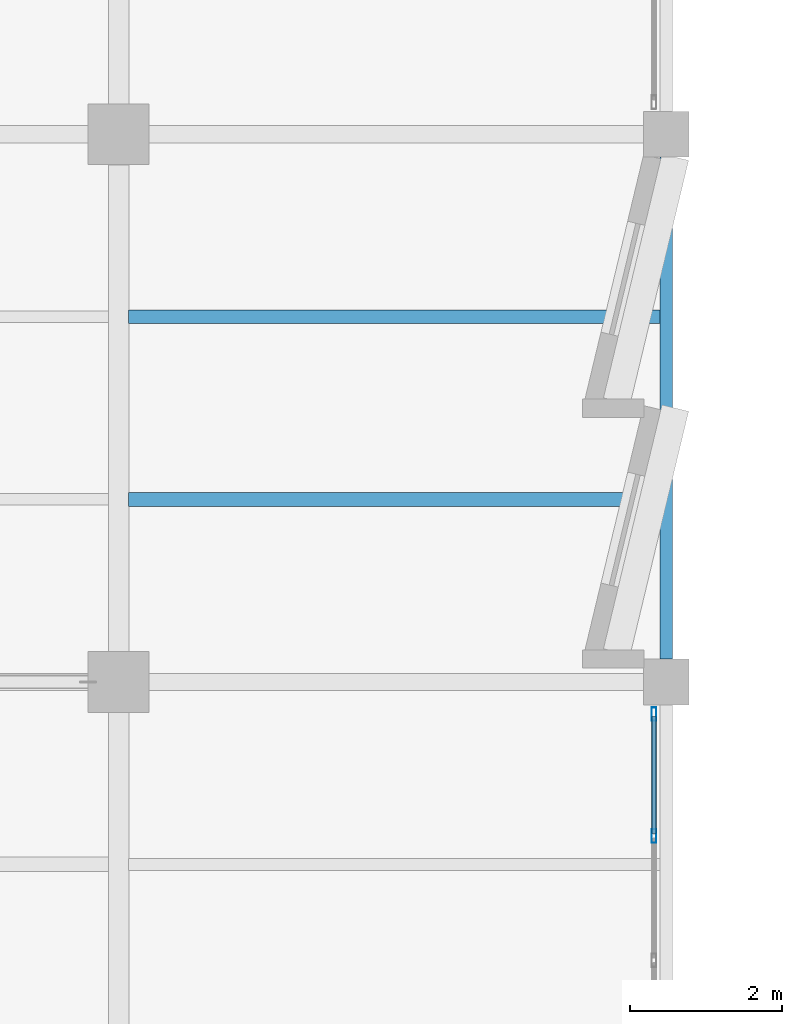
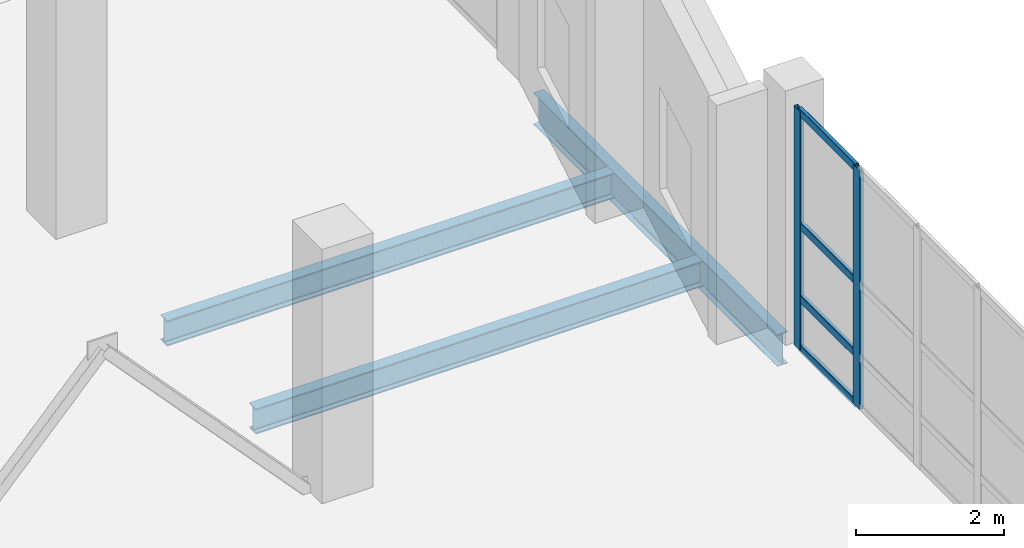
# One storey, part 28 of 94: 6 members, 3 beams, 1 element without a shape of its own.
"""IFC4 building model written with IfcOpenShell, lengths in metres."""

from ifc_helpers import new_model, si_unit, direction, frame, origin, origin_2d, place, context, subcontext, project, spatial, hollow_rectangle, i_section, extrude, material, material_profile, profile_set, type_object, element, aggregate, save


model = new_model("IFC4")

# Units and contexts
model_context = context("Model", 3, precision=1e-05, world=origin(), true_north=direction((0.0, 1.0)))
body_context = subcontext(model_context, "Body", "Model", "MODEL_VIEW")
ifc_project = project(units=[si_unit("LENGTHUNIT", "METRE"), si_unit("AREAUNIT", "SQUARE_METRE"), si_unit("VOLUMEUNIT", "CUBIC_METRE"), si_unit("PLANEANGLEUNIT", "RADIAN"), si_unit("MASSUNIT", "GRAM", prefix="KILO")], contexts=[model_context])

# Site, building, storey
site_placement = place(None, origin())
site = spatial("IfcSite", under=ifc_project, at=site_placement, CompositionType="ELEMENT")
building_placement = place(site_placement, origin())
building = spatial("IfcBuilding", under=site, at=building_placement, Name="Kalmorath City Hall", CompositionType="ELEMENT")
storey_placement = place(building_placement, frame((0.0, 0.0, 14.699951171875)))
storey = spatial("IfcBuildingStorey", under=building, at=storey_placement, Name="L03", CompositionType="ELEMENT", Elevation=14.699951171875)

# Curtain wall, members
ifc_material_1 = material(Name="Anodised aluminium and laminated glass", Category="aluminium")
curtain_wall_type = type_object("IfcCurtainWallType", Name="Unitised hurricane curtain wall 6543x3950 M1600", PredefinedType="NOTDEFINED", material=ifc_material_1)
curtain_wall_placement = place(storey_placement, origin())
curtain_wall = element("IfcCurtainWall", 1, at=curtain_wall_placement, inside=storey, type_object=curtain_wall_type, Name="L03 curtain wall CW-65X40M16 #154", PredefinedType="NOTDEFINED")
ifc_material_2 = material(Name="Anodised aluminium framing", Category="aluminium")
ifc_material_profile_1 = material_profile(ifc_material_2, hollow_rectangle(XDim=0.06494140625, YDim=0.179931640625, WallThickness=0.00390625, InnerFilletRadius=0.00390625, OuterFilletRadius=0.008056640625, at=origin_2d()), Name="ALU-MUL-180X65X4")
ifc_profile_set_1 = profile_set([ifc_material_profile_1], Name="Anodised aluminium framing")
member_type_1 = type_object("IfcMemberType", Name="Curtain-wall courtyard mullion 180x65", PredefinedType="MULLION", material=ifc_profile_set_1)
member_1_placement = place(storey_placement, frame((28.639892578125, 49.9775390625, 0.0), z_axis=(0.0, 0.0, 1.0), x_axis=(1.0, 0.0, 0.0)))
member_1 = element("IfcMember", 2, at=member_1_placement, type_object=member_type_1, Name="CW-65X40M16 mullion 1", PredefinedType="MULLION", context=body_context, shape_type="SweptSolid", body=[
    extrude(hollow_rectangle(XDim=0.06494140625, YDim=0.179931640625, WallThickness=0.00390625, InnerFilletRadius=0.00390625, OuterFilletRadius=0.008056640625, at=origin_2d()), origin(), (0.0, 0.0, 1.0), 3.949951171875),
])
member_2_placement = place(storey_placement, frame((28.639892578125, 48.3740234375, 0.0), z_axis=(0.0, 0.0, 1.0), x_axis=(1.0, 0.0, 0.0)))
member_2 = element("IfcMember", 3, at=member_2_placement, type_object=member_type_1, Name="CW-65X40M16 mullion 2", PredefinedType="MULLION", context=body_context, shape_type="SweptSolid", body=[
    extrude(hollow_rectangle(XDim=0.06494140625, YDim=0.179931640625, WallThickness=0.00390625, InnerFilletRadius=0.00390625, OuterFilletRadius=0.008056640625, at=origin_2d()), origin(), (0.0, 0.0, 1.0), 3.949951171875),
])
ifc_material_3 = material(Name="Anodised aluminium framing", Category="aluminium")
ifc_material_profile_2 = material_profile(ifc_material_3, hollow_rectangle(XDim=0.06005859375, YDim=0.1298828125, WallThickness=0.00341796875, InnerFilletRadius=0.00341796875, OuterFilletRadius=0.007080078125, at=origin_2d()), Name="ALU-TRN-130X60X3.5")
ifc_profile_set_2 = profile_set([ifc_material_profile_2], Name="Anodised aluminium framing")
member_type_2 = type_object("IfcMemberType", Name="Curtain-wall courtyard transom 130x60", PredefinedType="USERDEFINED", material=ifc_profile_set_2)
member_3_placement = place(storey_placement, frame((28.639892578125, 49.945068359375, 0.030029296875), z_axis=(0.0, -1.0, 0.0), x_axis=(1.0, 0.0, 0.0)))
member_3 = element("IfcMember", 4, at=member_3_placement, type_object=member_type_2, Name="CW-65X40M16 transom 1.1", ObjectType="TRANSOM", PredefinedType="USERDEFINED", context=body_context, shape_type="SweptSolid", body=[
    extrude(hollow_rectangle(XDim=0.06005859375, YDim=0.1298828125, WallThickness=0.00341796875, InnerFilletRadius=0.00341796875, OuterFilletRadius=0.007080078125, at=origin_2d()), origin(), (0.0, 0.0, 1.0), 1.538330078125),
])
member_4_placement = place(storey_placement, frame((28.639892578125, 49.945068359375, 0.85009765625), z_axis=(0.0, -1.0, 0.0), x_axis=(1.0, 0.0, 0.0)))
member_4 = element("IfcMember", 5, at=member_4_placement, type_object=member_type_2, Name="CW-65X40M16 transom 1.2", ObjectType="TRANSOM", PredefinedType="USERDEFINED", context=body_context, shape_type="SweptSolid", body=[
    extrude(hollow_rectangle(XDim=0.06005859375, YDim=0.1298828125, WallThickness=0.00341796875, InnerFilletRadius=0.00341796875, OuterFilletRadius=0.007080078125, at=origin_2d()), origin(), (0.0, 0.0, 1.0), 1.538330078125),
])
member_5_placement = place(storey_placement, frame((28.639892578125, 49.945068359375, 2.053955078125), z_axis=(0.0, -1.0, 0.0), x_axis=(1.0, 0.0, 0.0)))
member_5 = element("IfcMember", 6, at=member_5_placement, type_object=member_type_2, Name="CW-65X40M16 transom 1.3", ObjectType="TRANSOM", PredefinedType="USERDEFINED", context=body_context, shape_type="SweptSolid", body=[
    extrude(hollow_rectangle(XDim=0.06005859375, YDim=0.1298828125, WallThickness=0.00341796875, InnerFilletRadius=0.00341796875, OuterFilletRadius=0.007080078125, at=origin_2d()), origin(), (0.0, 0.0, 1.0), 1.538330078125),
])
member_6_placement = place(storey_placement, frame((28.639892578125, 49.945068359375, 3.920166015625), z_axis=(0.0, -1.0, 0.0), x_axis=(1.0, 0.0, 0.0)))
member_6 = element("IfcMember", 7, at=member_6_placement, type_object=member_type_2, Name="CW-65X40M16 transom 1.4", ObjectType="TRANSOM", PredefinedType="USERDEFINED", context=body_context, shape_type="SweptSolid", body=[
    extrude(hollow_rectangle(XDim=0.06005859375, YDim=0.1298828125, WallThickness=0.00341796875, InnerFilletRadius=0.00341796875, OuterFilletRadius=0.007080078125, at=origin_2d()), origin(), (0.0, 0.0, 1.0), 1.538330078125),
])
aggregate(curtain_wall, [member_1, member_2, member_3, member_4, member_5, member_6])

# Beams
ifc_material_4 = material(Name="Steel ASTM A992 Grade 50", Category="steel")
ifc_material_profile_3 = material_profile(ifc_material_4, i_section(OverallWidth=0.180908203125, OverallDepth=0.4169921875, WebThickness=0.010986328125, FlangeThickness=0.018310546875, FilletRadius=0.012939453125, at=origin_2d()), Name="W16X57")
ifc_profile_set_3 = profile_set([ifc_material_profile_3], Name="Steel ASTM A992 Grade 50")
beam_type_1 = type_object("IfcBeamType", Name="Steel composite joist W16X57", PredefinedType="JOIST", material=ifc_profile_set_3)
for number, where, z_axis, x_axis, name in (
    (8, (21.73388671875, 52.800048828125, -0.472412109375), (1.0, 0.0, 0.0), (0.0, 1.0, 0.0), "L03 joist SJ5 4.8.1"),
    (9, (21.73388671875, 55.199951171875, -0.472412109375), (1.0, 0.0, 0.0), (0.0, 1.0, 0.0), "L03 joist SJ5 4.8.2"),
):
    element("IfcBeam", number, at=place(storey_placement, frame(where, z_axis=z_axis, x_axis=x_axis)), inside=storey, type_object=beam_type_1, Name=name, PredefinedType="JOIST", context=body_context, shape_type="SweptSolid", body=[
        extrude(i_section(OverallWidth=0.180908203125, OverallDepth=0.4169921875, WebThickness=0.010986328125, FlangeThickness=0.018310546875, FilletRadius=0.012939453125, at=origin_2d()), origin(), (0.0, 0.0, 1.0), 6.983642578125),
    ])
ifc_material_5 = material(Name="Steel ASTM A992 Grade 50", Category="steel")
ifc_material_profile_4 = material_profile(ifc_material_5, i_section(OverallWidth=0.1650390625, OverallDepth=0.52490234375, WebThickness=0.0087890625, FlangeThickness=0.011474609375, FilletRadius=0.014892578125, at=origin_2d()), Name="W21X44")
ifc_profile_set_4 = profile_set([ifc_material_profile_4], Name="Steel ASTM A992 Grade 50")
beam_type_2 = type_object("IfcBeamType", Name="Steel spandrel beam W21X44", PredefinedType="SPANDREL", material=ifc_profile_set_4)
beam_placement = place(storey_placement, frame((28.800048828125, 50.699951171875, -0.5263671875), z_axis=(0.0, 1.0, 0.0), x_axis=(-1.0, 0.0, 0.0)))
element("IfcBeam", 10, at=beam_placement, inside=storey, type_object=beam_type_2, Name="L03 girder SB4 Y5/8-9", PredefinedType="SPANDREL", context=body_context, shape_type="SweptSolid", body=[
    extrude(i_section(OverallWidth=0.1650390625, OverallDepth=0.52490234375, WebThickness=0.0087890625, FlangeThickness=0.011474609375, FilletRadius=0.014892578125, at=origin_2d()), origin(), (0.0, 0.0, 1.0), 6.60009765625),
])

save(model, "model.ifc")
